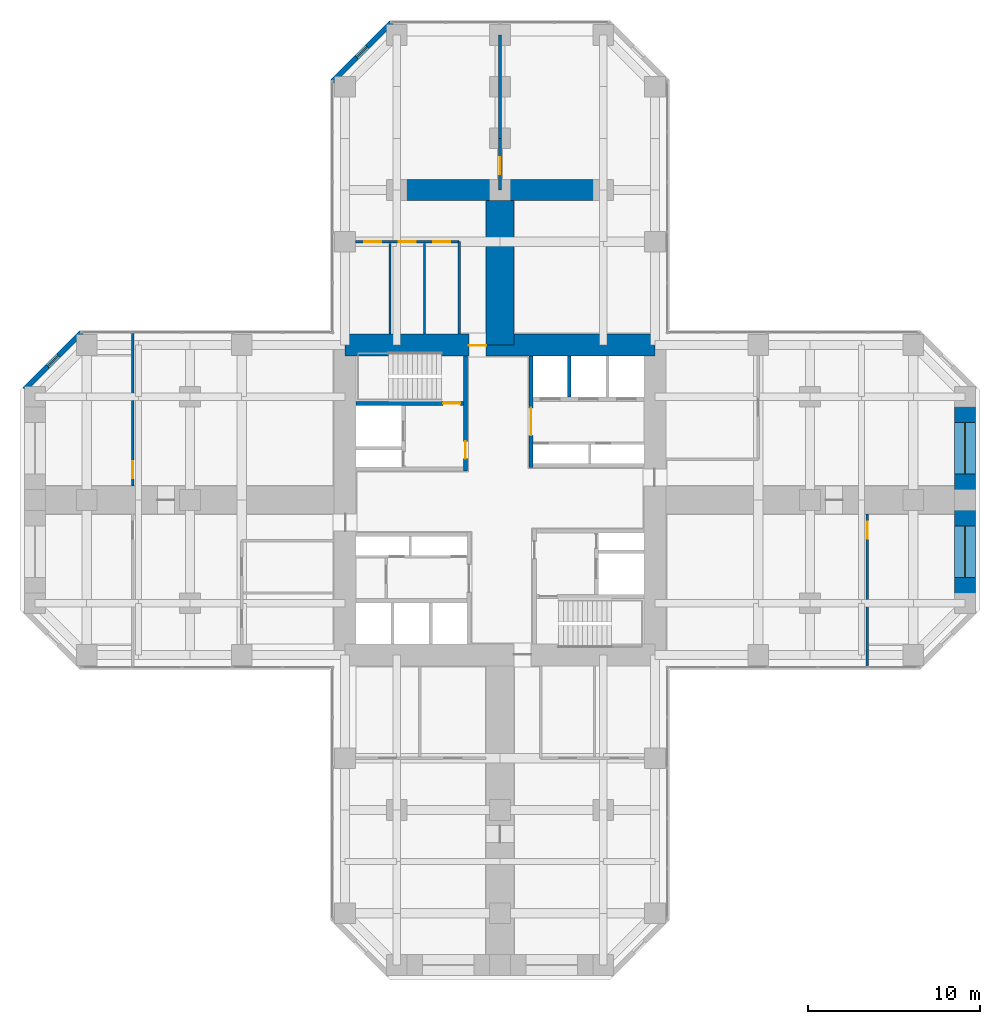
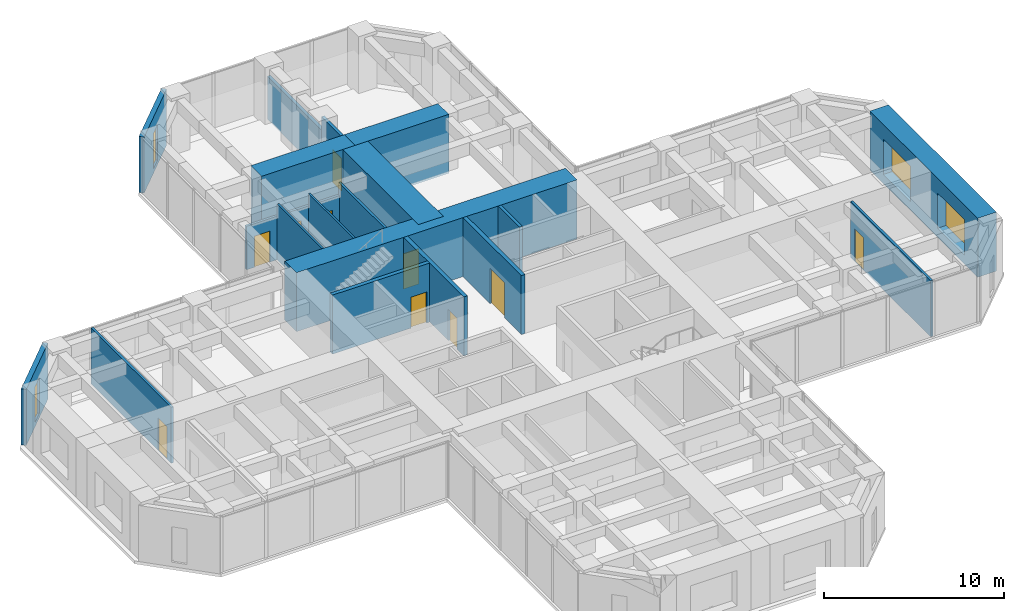
# One storey, part 10 of 12: 19 walls, 10 doors, 4 windows, 14 openings.
"""IFC4 building model written with IfcOpenShell, lengths in metres."""

from ifc_helpers import new_model, si_unit, direction, frame, frame_2d, origin, place, context, subcontext, project, spatial, rectangle, hollow_rectangle, extrude, material, layer, layer_set, constituent, constituent_set, type_object, element, fill, save


model = new_model("IFC4")

# Units and contexts
model_context = context("Model", 3, precision=1e-05, world=origin(), true_north=direction((0.0, 1.0)))
body_context = subcontext(model_context, "Body", "Model", "MODEL_VIEW")
ifc_project = project(units=[si_unit("LENGTHUNIT", "METRE"), si_unit("AREAUNIT", "SQUARE_METRE"), si_unit("VOLUMEUNIT", "CUBIC_METRE"), si_unit("PLANEANGLEUNIT", "RADIAN"), si_unit("MASSUNIT", "GRAM", prefix="KILO")], contexts=[model_context])

# Site, building, storey
site_placement = place(None, origin())
site = spatial("IfcSite", under=ifc_project, at=site_placement, CompositionType="ELEMENT")
building_placement = place(site_placement, origin())
building = spatial("IfcBuilding", under=site, at=building_placement, Name="Torre Cruceta", CompositionType="ELEMENT")
storey_placement = place(building_placement, frame((0.0, 0.0, 39.5)))
storey = spatial("IfcBuildingStorey", under=building, at=storey_placement, Name="L09", CompositionType="ELEMENT", Elevation=39.5)

# Wall, opening, door
ifc_material_1 = material(Name="Concrete G60 (fck 60 MPa)", Category="concrete")
ifc_layer_1 = layer(ifc_material_1, 0.25)
ifc_layer_set_1 = layer_set([ifc_layer_1], Name="Concrete G60 (fck 60 MPa)")
wall_type_1 = type_object("IfcWallType", Name="CORE INNER WALL 250 G60", PredefinedType="SHEAR", material=ifc_layer_set_1)
wall_1_placement = place(storey_placement, frame((1.800048828125, 1.875, 0.0), z_axis=(0.0, 0.0, 1.0), x_axis=(0.0, 1.0, 0.0)))
wall_1 = element("IfcWall", 1, at=wall_1_placement, inside=storey, type_object=wall_type_1, Name="CW4 L09 NE-CU", PredefinedType="SHEAR", context=body_context, shape_type="SweptSolid", body=[
    extrude(rectangle(XDim=6.47509765625, YDim=0.25, at=frame_2d((3.237548828125, 0.0))), origin(), (0.0, 0.0, 1.0), 4.0),
])
opening_1_placement = place(wall_1_placement, frame((1.875, 0.0, 0.0)))
opening_1 = element("IfcOpeningElement", 2, at=opening_1_placement, cuts=wall_1, Name="Opening D8", PredefinedType="OPENING", context=body_context, shape_type="SweptSolid", body=[
    extrude(rectangle(XDim=1.60009765625, YDim=2.39990234375, at=frame_2d((0.800048828125, 1.199951171875))), frame((0.0, 0.135009765625, 0.0), z_axis=(0.0, -1.0, 0.0), x_axis=(1.0, 0.0, 0.0)), (0.0, 0.0, 1.0), 0.27001953125),
])
ifc_material_2 = material(Name="Steel DX51D", Category="steel")
ifc_constituent_1 = constituent(ifc_material_2, Name="Leaf and frame")
ifc_material_3 = material(Name="Polyester powder coating", Category="paint")
ifc_constituent_2 = constituent(ifc_material_3, Name="Finish")
ifc_material_4 = material(Name="Fire-resisting glass", Category="glass")
ifc_constituent_3 = constituent(ifc_material_4, Name="Vision panel")
ifc_constituent_set_1 = constituent_set(constituents=[ifc_constituent_1, ifc_constituent_2, ifc_constituent_3], Name="Steel fire door with vision panels")
door_type_1 = type_object("IfcDoorType", Name="LIFT LOBBY DOUBLE DOOR 1600X2400", OperationType="DOUBLE_DOOR_DOUBLE_SWING", PredefinedType="DOOR", material=ifc_constituent_set_1)
door_1_placement = place(opening_1_placement, origin())
door_1 = element("IfcDoor", 3, at=door_1_placement, inside=storey, type_object=door_type_1, Name="D8 L09 NE-LOBBY", OperationType="DOUBLE_DOOR_DOUBLE_SWING", OverallHeight=2.39990234375, OverallWidth=1.60009765625, PredefinedType="DOOR", context=body_context, shape_type="SweptSolid", body=[
    extrude(rectangle(XDim=1.60009765625, YDim=2.39990234375, at=frame_2d((0.800048828125, 1.199951171875))), frame((0.0, 0.02490234375, 0.0), z_axis=(0.0, -1.0, 0.0), x_axis=(1.0, 0.0, 0.0)), (0.0, 0.0, 1.0), 0.050048828125),
])
fill(opening_1, door_1)

wall_2_placement = place(storey_placement, frame((-2.0, 1.675048828125, 0.0), z_axis=(0.0, 0.0, 1.0), x_axis=(0.0, 1.0, 0.0)))
wall_2 = element("IfcWall", 4, at=wall_2_placement, inside=storey, type_object=wall_type_1, Name="CW4 L09 NW-CU", PredefinedType="SHEAR", context=body_context, shape_type="SweptSolid", body=[
    extrude(rectangle(XDim=6.675048828125, YDim=0.25, at=frame_2d((3.33740234375, 0.0))), origin(), (0.0, 0.0, 1.0), 4.0),
])
opening_2_placement = place(wall_2_placement, frame((0.72509765625, 0.0, 0.0)))
opening_2 = element("IfcOpeningElement", 5, at=opening_2_placement, cuts=wall_2, Name="Opening D3", PredefinedType="OPENING", context=body_context, shape_type="SweptSolid", body=[
    extrude(rectangle(XDim=1.0, YDim=2.10009765625, at=frame_2d((0.5, 1.050048828125))), frame((0.0, 0.135009765625, 0.0), z_axis=(0.0, -1.0, 0.0), x_axis=(1.0, 0.0, 0.0)), (0.0, 0.0, 1.0), 0.27001953125),
])
ifc_material_5 = material(Name="Steel DX51D", Category="steel")
ifc_constituent_4 = constituent(ifc_material_5, Name="Leaf and frame")
ifc_material_6 = material(Name="Polyester powder coating", Category="paint")
ifc_constituent_5 = constituent(ifc_material_6, Name="Finish")
ifc_constituent_set_2 = constituent_set(constituents=[ifc_constituent_4, ifc_constituent_5], Name="Steel fire door")
door_type_2 = type_object("IfcDoorType", Name="FIRE DOOR 1000X2100", OperationType="SINGLE_SWING_LEFT", PredefinedType="DOOR", material=ifc_constituent_set_2)
door_2_placement = place(opening_2_placement, origin())
door_2 = element("IfcDoor", 6, at=door_2_placement, inside=storey, type_object=door_type_2, Name="D3 L09 NW-LOBBY", OperationType="SINGLE_SWING_LEFT", OverallHeight=2.10009765625, OverallWidth=1.0, PredefinedType="DOOR", context=body_context, shape_type="SweptSolid", body=[
    extrude(rectangle(XDim=1.0, YDim=2.10009765625, at=frame_2d((0.5, 1.050048828125))), frame((0.0, 0.02490234375, 0.0), z_axis=(0.0, -1.0, 0.0), x_axis=(1.0, 0.0, 0.0)), (0.0, 0.0, 1.0), 0.050048828125),
])
fill(opening_2, door_2)

wall_3_placement = place(storey_placement, frame((-2.125, 5.60009765625, 0.0), z_axis=(0.0, 0.0, 1.0), x_axis=(-1.0, 0.0, 0.0)))
wall_3 = element("IfcWall", 7, at=wall_3_placement, inside=storey, type_object=wall_type_1, Name="CW4 L09 NW-SV", PredefinedType="SHEAR", context=body_context, shape_type="SweptSolid", body=[
    extrude(rectangle(XDim=6.22509765625, YDim=0.25, at=frame_2d((3.112548828125, 0.0))), origin(), (0.0, 0.0, 1.0), 4.0),
])
opening_3_placement = place(wall_3_placement, frame((0.175048828125, 0.0, 0.0)))
opening_3 = element("IfcOpeningElement", 8, at=opening_3_placement, cuts=wall_3, Name="Opening D3", PredefinedType="OPENING", context=body_context, shape_type="SweptSolid", body=[
    extrude(rectangle(XDim=1.0, YDim=2.10009765625, at=frame_2d((0.5, 1.050048828125))), frame((0.0, 0.135009765625, 0.0), z_axis=(0.0, -1.0, 0.0), x_axis=(1.0, 0.0, 0.0)), (0.0, 0.0, 1.0), 0.27001953125),
])
door_3_placement = place(opening_3_placement, frame((1.0, 0.0, 0.0), z_axis=(0.0, 0.0, 1.0), x_axis=(-1.0, 0.0, 0.0)))
door_3 = element("IfcDoor", 9, at=door_3_placement, inside=storey, type_object=door_type_2, Name="D3 L09 NW-STAIR", OperationType="SINGLE_SWING_RIGHT", OverallHeight=2.10009765625, OverallWidth=1.0, PredefinedType="DOOR", context=body_context, shape_type="SweptSolid", body=[
    extrude(rectangle(XDim=1.0, YDim=2.10009765625, at=frame_2d((0.5, 1.050048828125))), frame((0.0, 0.025146484375, 0.0), z_axis=(0.0, -1.0, 0.0), x_axis=(1.0, 0.0, 0.0)), (0.0, 0.0, 1.0), 0.050048828125),
])
fill(opening_3, door_3)

ifc_material_7 = material(Name="Concrete G60 (fck 60 MPa)", Category="concrete")
ifc_layer_2 = layer(ifc_material_7, 1.300048828125)
ifc_layer_set_2 = layer_set([ifc_layer_2], Name="Concrete G60 (fck 60 MPa)")
wall_type_2 = type_object("IfcWallType", Name="CORE WALL 1300 G60", PredefinedType="SHEAR", material=ifc_layer_set_2)
wall_4_placement = place(storey_placement, frame((9.0, 9.0, 0.0), z_axis=(0.0, 0.0, 1.0), x_axis=(-1.0, 0.0, 0.0)))
wall_4 = element("IfcWall", 10, at=wall_4_placement, inside=storey, type_object=wall_type_2, Name="CW1 L09 CW-N", PredefinedType="SHEAR", context=body_context, shape_type="SweptSolid", body=[
    extrude(rectangle(XDim=18.0, YDim=1.300048828125, at=frame_2d((9.0, 0.0))), origin(), (0.0, 0.0, 1.0), 4.0),
])
opening_4_placement = place(wall_4_placement, frame((9.800048828125, 0.0, 0.0)))
opening_4 = element("IfcOpeningElement", 11, at=opening_4_placement, cuts=wall_4, Name="Opening D4", PredefinedType="OPENING", context=body_context, shape_type="SweptSolid", body=[
    extrude(rectangle(XDim=1.0, YDim=2.39990234375, at=frame_2d((0.5, 1.199951171875))), frame((0.0, 0.659912109375, 0.0), z_axis=(0.0, -1.0, 0.0), x_axis=(1.0, 0.0, 0.0)), (0.0, 0.0, 1.0), 1.320068359375),
])
ifc_material_8 = material(Name="Steel DX51D", Category="steel")
ifc_constituent_6 = constituent(ifc_material_8, Name="Leaf and frame")
ifc_material_9 = material(Name="Polyester powder coating", Category="paint")
ifc_constituent_7 = constituent(ifc_material_9, Name="Finish")
ifc_constituent_set_3 = constituent_set(constituents=[ifc_constituent_6, ifc_constituent_7], Name="Steel fire door")
door_type_3 = type_object("IfcDoorType", Name="CORE ARM DOOR 1000X2400", OperationType="SINGLE_SWING_RIGHT", PredefinedType="DOOR", material=ifc_constituent_set_3)
door_4_placement = place(opening_4_placement, frame((1.0, 0.0, 0.0), z_axis=(0.0, 0.0, 1.0), x_axis=(-1.0, 0.0, 0.0)))
door_4 = element("IfcDoor", 12, at=door_4_placement, inside=storey, type_object=door_type_3, Name="D4 L09 CW-N", OperationType="SINGLE_SWING_RIGHT", OverallHeight=2.39990234375, OverallWidth=1.0, PredefinedType="DOOR", context=body_context, shape_type="SweptSolid", body=[
    extrude(rectangle(XDim=1.0, YDim=2.39990234375, at=frame_2d((0.5, 1.199951171875))), frame((0.0, -0.005126953125, 0.0), z_axis=(0.0, -1.0, 0.0), x_axis=(1.0, 0.0, 0.0)), (0.0, 0.0, 1.0), 0.050048828125),
])
fill(opening_4, door_4)

ifc_material_10 = material(Name="Concrete G25 (fck 25 MPa)", Category="concrete")
ifc_layer_3 = layer(ifc_material_10, 0.199951171875)
ifc_layer_set_3 = layer_set([ifc_layer_3], Name="Concrete G25 (fck 25 MPa)")
wall_type_3 = type_object("IfcWallType", Name="CORRIDOR WALL 200", PredefinedType="SOLIDWALL", material=ifc_layer_set_3)
wall_5_placement = place(storey_placement, frame((0.0, 18.0, 0.0), z_axis=(0.0, 0.0, 1.0), x_axis=(0.0, 1.0, 0.0)))
wall_5 = element("IfcWall", 13, at=wall_5_placement, inside=storey, type_object=wall_type_3, Name="PT3 spine line L09 N", PredefinedType="SOLIDWALL", context=body_context, shape_type="SweptSolid", body=[
    extrude(rectangle(XDim=3.0, YDim=0.199951171875, at=frame_2d((1.5, 0.0))), origin(), (0.0, 0.0, 1.0), 3.800048828125),
])
opening_5_placement = place(wall_5_placement, frame((0.89990234375, 0.0, 0.0)))
opening_5 = element("IfcOpeningElement", 14, at=opening_5_placement, cuts=wall_5, Name="Opening D14", PredefinedType="OPENING", context=body_context, shape_type="SweptSolid", body=[
    extrude(rectangle(XDim=1.0, YDim=2.199951171875, at=frame_2d((0.5, 1.10009765625))), frame((0.0, 0.10986328125, 0.0), z_axis=(0.0, -1.0, 0.0), x_axis=(1.0, 0.0, 0.0)), (0.0, 0.0, 1.0), 0.219970703125),
])
ifc_material_11 = material(Name="Steel DX51D", Category="steel")
ifc_constituent_8 = constituent(ifc_material_11, Name="Leaf and frame")
ifc_material_12 = material(Name="Polyester powder coating", Category="paint")
ifc_constituent_9 = constituent(ifc_material_12, Name="Finish")
ifc_material_13 = material(Name="Fire-resisting glass", Category="glass")
ifc_constituent_10 = constituent(ifc_material_13, Name="Vision panel")
ifc_constituent_set_4 = constituent_set(constituents=[ifc_constituent_8, ifc_constituent_9, ifc_constituent_10], Name="Steel fire door with vision panel")
door_type_4 = type_object("IfcDoorType", Name="FIRE DOOR VISION PANEL 1000X2200", OperationType="SINGLE_SWING_RIGHT", PredefinedType="DOOR", material=ifc_constituent_set_4)
door_5_placement = place(opening_5_placement, origin())
door_5 = element("IfcDoor", 15, at=door_5_placement, inside=storey, type_object=door_type_4, Name="D14 L09-N-SP1", OperationType="SINGLE_SWING_LEFT", OverallHeight=2.199951171875, OverallWidth=1.0, PredefinedType="DOOR", context=body_context, shape_type="SweptSolid", body=[
    extrude(rectangle(XDim=1.0, YDim=2.199951171875, at=frame_2d((0.5, 1.10009765625))), frame((0.0, 0.02490234375, 0.0), z_axis=(0.0, -1.0, 0.0), x_axis=(1.0, 0.0, 0.0)), (0.0, 0.0, 1.0), 0.050048828125),
])
fill(opening_5, door_5)

# Walls
wall_6_placement = place(storey_placement, frame((0.0, 21.0, 0.0), z_axis=(0.0, 0.0, 1.0), x_axis=(0.0, 1.0, 0.0)))
element("IfcWall", 16, at=wall_6_placement, inside=storey, type_object=wall_type_3, Name="PT3 spine line L09 N 2", PredefinedType="SOLIDWALL", context=body_context, shape_type="SweptSolid", body=[
    extrude(rectangle(XDim=6.0, YDim=0.199951171875, at=frame_2d((3.0, 0.0))), origin(), (0.0, 0.0, 1.0), 2.89990234375),
])
ifc_material_14 = material(Name="Concrete G60 (fck 60 MPa)", Category="concrete")
ifc_layer_4 = layer(ifc_material_14, 1.199951171875)
ifc_layer_set_4 = layer_set([ifc_layer_4], Name="Concrete G60 (fck 60 MPa)")
wall_type_4 = type_object("IfcWallType", Name="CROSS WALL 1200 G60", PredefinedType="SHEAR", material=ifc_layer_set_4)
for number, where, z_axis, x_axis, name in (
    (17, (0.0, 18.0, 0.0), (0.0, 0.0, 1.0), (-1.0, 0.0, 0.0), "XW1 cross wall L09 N L"),
    (18, (0.0, 18.0, 0.0), (0.0, 0.0, 1.0), (1.0, 0.0, 0.0), "XW1 cross wall L09 N R"),
):
    element("IfcWall", number, at=place(storey_placement, frame(where, z_axis=z_axis, x_axis=x_axis)), inside=storey, type_object=wall_type_4, Name=name, PredefinedType="SHEAR", context=body_context, shape_type="SweptSolid", body=[
        extrude(rectangle(XDim=6.0, YDim=1.199951171875, at=frame_2d((3.0, 0.0))), origin(), (0.0, 0.0, 1.0), 4.0),
    ])

# Wall, opening, window
ifc_material_15 = material(Name="Concrete G30 (fck 30 MPa)", Category="concrete")
ifc_layer_5 = layer(ifc_material_15, 0.300048828125)
ifc_layer_set_5 = layer_set([ifc_layer_5], Name="Concrete G30 (fck 30 MPa)")
wall_type_5 = type_object("IfcWallType", Name="EXPOSED CONCRETE FACADE WALL 300", PredefinedType="SOLIDWALL", material=ifc_layer_set_5)
wall_7_placement = place(storey_placement, frame((-6.29833984375, 27.719970703125, 0.0), z_axis=(0.0, 0.0, 1.0), x_axis=(-0.707106781187, -0.707106781187, 0.0)))
wall_7 = element("IfcWall", 19, at=wall_7_placement, inside=storey, type_object=wall_type_5, Name="EW1 facade wall L09 N chamfer 08", PredefinedType="SOLIDWALL", context=body_context, shape_type="SweptSolid", body=[
    extrude(rectangle(XDim=4.8388671875, YDim=0.300048828125, at=frame_2d((2.41943359375, 0.0))), origin(), (0.0, 0.0, 1.0), 3.800048828125),
])
opening_6_placement = place(wall_7_placement, frame((1.969482421875, 0.0, 0.300048828125)))
opening_6 = element("IfcOpeningElement", 20, at=opening_6_placement, cuts=wall_7, Name="Opening WN5", PredefinedType="OPENING", context=body_context, shape_type="SweptSolid", body=[
    extrude(rectangle(XDim=0.89990234375, YDim=2.39990234375, at=frame_2d((0.449951171875, 1.199951171875))), frame((0.0, 0.159912109375, 0.0), z_axis=(0.0, -1.0, 0.0), x_axis=(1.0, 0.0, 0.0)), (0.0, 0.0, 1.0), 0.320068359375),
])
ifc_material_16 = material(Name="Aluminium window frame", Category="aluminium")
ifc_constituent_11 = constituent(ifc_material_16, Name="Frame")
ifc_material_17 = material(Name="Laminated insulating glass unit, low-iron clear", Category="glass")
ifc_constituent_12 = constituent(ifc_material_17, Name="Glazing")
ifc_constituent_set_5 = constituent_set(constituents=[ifc_constituent_11, ifc_constituent_12], Name="Aluminium window")
window_type_1 = type_object("IfcWindowType", Name="CHAMFER SLOT WINDOW 900X2400", PartitioningType="SINGLE_PANEL", PredefinedType="WINDOW", material=ifc_constituent_set_5)
window_1_placement = place(opening_6_placement, origin())
window_1 = element("IfcWindow", 21, at=window_1_placement, inside=storey, type_object=window_type_1, Name="WN5 L09 N 1", OverallHeight=2.39990234375, OverallWidth=0.89990234375, PartitioningType="SINGLE_PANEL", PredefinedType="WINDOW", context=body_context, shape_type="SweptSolid", body=[
    extrude(hollow_rectangle(XDim=0.89990234375, YDim=2.39990234375, WallThickness=0.06005859375, at=frame_2d((0.449951171875, 1.199951171875))), frame((0.0, 0.030029296875, 0.0), z_axis=(0.0, -1.0, 0.0), x_axis=(1.0, 0.0, 0.0)), (0.0, 0.0, 1.0), 0.06005859375),
    extrude(rectangle(XDim=0.77880859375, YDim=2.27880859375, at=frame_2d((0.449951171875, 1.199951171875))), frame((0.0, 0.030029296875, 0.0), z_axis=(0.0, -1.0, 0.0), x_axis=(1.0, 0.0, 0.0)), (0.0, 0.0, 1.0), 0.06005859375),
])
fill(opening_6, window_1)

wall_8_placement = place(storey_placement, frame((-24.29833984375, 9.719970703125, 0.0), z_axis=(0.0, 0.0, 1.0), x_axis=(-0.707106781187, -0.707106781187, 0.0)))
wall_8 = element("IfcWall", 22, at=wall_8_placement, inside=storey, type_object=wall_type_5, Name="EW1 facade wall L09 W chamfer 11", PredefinedType="SOLIDWALL", context=body_context, shape_type="SweptSolid", body=[
    extrude(rectangle(XDim=4.66943359375, YDim=0.300048828125, at=frame_2d((2.334716796875, 0.0))), origin(), (0.0, 0.0, 1.0), 3.800048828125),
])
opening_7_placement = place(wall_8_placement, frame((1.884765625, 0.0, 0.300048828125)))
opening_7 = element("IfcOpeningElement", 23, at=opening_7_placement, cuts=wall_8, Name="Opening WN5", PredefinedType="OPENING", context=body_context, shape_type="SweptSolid", body=[
    extrude(rectangle(XDim=0.89990234375, YDim=2.39990234375, at=frame_2d((0.449951171875, 1.199951171875))), frame((0.0, 0.159912109375, 0.0), z_axis=(0.0, -1.0, 0.0), x_axis=(1.0, 0.0, 0.0)), (0.0, 0.0, 1.0), 0.320068359375),
])
window_2_placement = place(opening_7_placement, origin())
window_2 = element("IfcWindow", 24, at=window_2_placement, inside=storey, type_object=window_type_1, Name="WN5 L09 W 1", OverallHeight=2.39990234375, OverallWidth=0.89990234375, PartitioningType="SINGLE_PANEL", PredefinedType="WINDOW", context=body_context, shape_type="SweptSolid", body=[
    extrude(hollow_rectangle(XDim=0.89990234375, YDim=2.39990234375, WallThickness=0.06005859375, at=frame_2d((0.449951171875, 1.199951171875))), frame((0.0, 0.030029296875, 0.0), z_axis=(0.0, -1.0, 0.0), x_axis=(1.0, 0.0, 0.0)), (0.0, 0.0, 1.0), 0.06005859375),
    extrude(rectangle(XDim=0.77880859375, YDim=2.27880859375, at=frame_2d((0.449951171875, 1.199951171875))), frame((0.0, 0.030029296875, 0.0), z_axis=(0.0, -1.0, 0.0), x_axis=(1.0, 0.0, 0.0)), (0.0, 0.0, 1.0), 0.06005859375),
])
fill(opening_7, window_2)

# Wall
ifc_material_18 = material(Name="Concrete G35 (fck 35 MPa)", Category="concrete")
ifc_layer_6 = layer(ifc_material_18, 0.199951171875)
ifc_layer_set_6 = layer_set([ifc_layer_6], Name="Concrete G35 (fck 35 MPa)")
wall_type_6 = type_object("IfcWallType", Name="LIFT SHAFT WALL 200", PredefinedType="PARTITIONING", material=ifc_layer_set_6)
wall_9_placement = place(storey_placement, frame((4.033447265625, 5.97509765625, 0.0), z_axis=(0.0, 0.0, 1.0), x_axis=(0.0, 1.0, 0.0)))
element("IfcWall", 25, at=wall_9_placement, inside=storey, type_object=wall_type_6, Name="SW1 L09 NE-LS1", PredefinedType="PARTITIONING", context=body_context, shape_type="SweptSolid", body=[
    extrude(rectangle(XDim=2.375, YDim=0.199951171875, at=frame_2d((1.1875, 0.0))), origin(), (0.0, 0.0, 1.0), 4.0),
])

# Wall, openings, windows
ifc_material_19 = material(Name="Concrete G60 (fck 60 MPa)", Category="concrete")
ifc_layer_7 = layer(ifc_material_19, 1.199951171875)
ifc_layer_set_7 = layer_set([ifc_layer_7], Name="Concrete G60 (fck 60 MPa)")
wall_type_7 = type_object("IfcWallType", Name="NOSE WALL 1200 G60", PredefinedType="SHEAR", material=ifc_layer_set_7)
wall_10_placement = place(storey_placement, frame((27.0, -6.0, 0.0), z_axis=(0.0, 0.0, 1.0), x_axis=(0.0, 1.0, 0.0)))
wall_10 = element("IfcWall", 26, at=wall_10_placement, inside=storey, type_object=wall_type_7, Name="NW1 nose wall L09 E", PredefinedType="SHEAR", context=body_context, shape_type="SweptSolid", body=[
    extrude(rectangle(XDim=12.0, YDim=1.199951171875, at=frame_2d((6.0, 0.0))), origin(), (0.0, 0.0, 1.0), 4.0),
])
opening_8_placement = place(wall_10_placement, frame((1.5, 0.0, 0.60009765625)))
opening_8 = element("IfcOpeningElement", 27, at=opening_8_placement, cuts=wall_10, Name="Opening WN6", PredefinedType="OPENING", context=body_context, shape_type="SweptSolid", body=[
    extrude(rectangle(XDim=3.0, YDim=2.39990234375, at=frame_2d((1.5, 1.199951171875))), frame((0.0, 0.60986328125, 0.0), z_axis=(0.0, -1.0, 0.0), x_axis=(1.0, 0.0, 0.0)), (0.0, 0.0, 1.0), 1.219970703125),
])
opening_9_placement = place(wall_10_placement, frame((7.5, 0.0, 0.60009765625)))
opening_9 = element("IfcOpeningElement", 28, at=opening_9_placement, cuts=wall_10, Name="Opening WN6", PredefinedType="OPENING", context=body_context, shape_type="SweptSolid", body=[
    extrude(rectangle(XDim=3.0, YDim=2.39990234375, at=frame_2d((1.5, 1.199951171875))), frame((0.0, 0.60986328125, 0.0), z_axis=(0.0, -1.0, 0.0), x_axis=(1.0, 0.0, 0.0)), (0.0, 0.0, 1.0), 1.219970703125),
])
ifc_material_20 = material(Name="Aluminium window frame", Category="aluminium")
ifc_constituent_13 = constituent(ifc_material_20, Name="Frame")
ifc_material_21 = material(Name="Laminated insulating glass unit, low-iron clear", Category="glass")
ifc_constituent_14 = constituent(ifc_material_21, Name="Glazing")
ifc_constituent_set_6 = constituent_set(constituents=[ifc_constituent_13, ifc_constituent_14], Name="Aluminium window")
window_type_2 = type_object("IfcWindowType", Name="NOSE WALL WINDOW 3000X2400", PartitioningType="SINGLE_PANEL", PredefinedType="WINDOW", material=ifc_constituent_set_6)
window_3_placement = place(opening_8_placement, origin())
window_3 = element("IfcWindow", 29, at=window_3_placement, inside=storey, type_object=window_type_2, Name="WN6 L09 E 1", OverallHeight=2.39990234375, OverallWidth=3.0, PartitioningType="SINGLE_PANEL", PredefinedType="WINDOW", context=body_context, shape_type="SweptSolid", body=[
    extrude(hollow_rectangle(XDim=3.0, YDim=2.39990234375, WallThickness=0.06005859375, at=frame_2d((1.5, 1.199951171875))), frame((0.0, 0.030029296875, 0.0), z_axis=(0.0, -1.0, 0.0), x_axis=(1.0, 0.0, 0.0)), (0.0, 0.0, 1.0), 0.06005859375),
    extrude(rectangle(XDim=2.87890625, YDim=2.27880859375, at=frame_2d((1.5, 1.199951171875))), frame((0.0, 0.030029296875, 0.0), z_axis=(0.0, -1.0, 0.0), x_axis=(1.0, 0.0, 0.0)), (0.0, 0.0, 1.0), 0.06005859375),
])
fill(opening_8, window_3)
window_4_placement = place(opening_9_placement, origin())
window_4 = element("IfcWindow", 30, at=window_4_placement, inside=storey, type_object=window_type_2, Name="WN6 L09 E 2", OverallHeight=2.39990234375, OverallWidth=3.0, PartitioningType="SINGLE_PANEL", PredefinedType="WINDOW", context=body_context, shape_type="SweptSolid", body=[
    extrude(hollow_rectangle(XDim=3.0, YDim=2.39990234375, WallThickness=0.06005859375, at=frame_2d((1.5, 1.199951171875))), frame((0.0, 0.030029296875, 0.0), z_axis=(0.0, -1.0, 0.0), x_axis=(1.0, 0.0, 0.0)), (0.0, 0.0, 1.0), 0.06005859375),
    extrude(rectangle(XDim=2.87890625, YDim=2.27880859375, at=frame_2d((1.5, 1.199951171875))), frame((0.0, 0.030029296875, 0.0), z_axis=(0.0, -1.0, 0.0), x_axis=(1.0, 0.0, 0.0)), (0.0, 0.0, 1.0), 0.06005859375),
])
fill(opening_9, window_4)

# Wall, openings, doors
ifc_material_22 = material(Name="Plasterboard on steel studs", Category="steel")
ifc_layer_8 = layer(ifc_material_22, 0.14990234375)
ifc_layer_set_8 = layer_set([ifc_layer_8], Name="Plasterboard on steel studs")
wall_type_8 = type_object("IfcWallType", Name="PARTITION 150", PredefinedType="PARTITIONING", material=ifc_layer_set_8)
wall_11_placement = place(storey_placement, frame((-2.375, 15.0, 0.0), z_axis=(0.0, 0.0, 1.0), x_axis=(-1.0, 0.0, 0.0)))
wall_11 = element("IfcWall", 31, at=wall_11_placement, inside=storey, type_object=wall_type_8, Name="PT1 L09-N-BFL", PredefinedType="PARTITIONING", context=body_context, shape_type="SweptSolid", body=[
    extrude(rectangle(XDim=6.02490234375, YDim=0.14990234375, at=frame_2d((3.012451171875, 0.0))), origin(), (0.0, 0.0, 1.0), 2.949951171875),
])
opening_10_placement = place(wall_11_placement, frame((0.504150390625, 0.0, 0.0)))
opening_10 = element("IfcOpeningElement", 32, at=opening_10_placement, cuts=wall_11, Name="Opening D3", PredefinedType="OPENING", context=body_context, shape_type="SweptSolid", body=[
    extrude(rectangle(XDim=1.0, YDim=2.10009765625, at=frame_2d((0.5, 1.050048828125))), frame((0.0, 0.0849609375, 0.0), z_axis=(0.0, -1.0, 0.0), x_axis=(1.0, 0.0, 0.0)), (0.0, 0.0, 1.0), 0.169921875),
])
opening_11_placement = place(wall_11_placement, frame((2.512451171875, 0.0, 0.0)))
opening_11 = element("IfcOpeningElement", 33, at=opening_11_placement, cuts=wall_11, Name="Opening D3", PredefinedType="OPENING", context=body_context, shape_type="SweptSolid", body=[
    extrude(rectangle(XDim=1.0, YDim=2.10009765625, at=frame_2d((0.5, 1.050048828125))), frame((0.0, 0.0849609375, 0.0), z_axis=(0.0, -1.0, 0.0), x_axis=(1.0, 0.0, 0.0)), (0.0, 0.0, 1.0), 0.169921875),
])
opening_12_placement = place(wall_11_placement, frame((4.520751953125, 0.0, 0.0)))
opening_12 = element("IfcOpeningElement", 34, at=opening_12_placement, cuts=wall_11, Name="Opening D3", PredefinedType="OPENING", context=body_context, shape_type="SweptSolid", body=[
    extrude(rectangle(XDim=1.0, YDim=2.10009765625, at=frame_2d((0.5, 1.050048828125))), frame((0.0, 0.0849609375, 0.0), z_axis=(0.0, -1.0, 0.0), x_axis=(1.0, 0.0, 0.0)), (0.0, 0.0, 1.0), 0.169921875),
])
door_6_placement = place(opening_10_placement, origin())
door_6 = element("IfcDoor", 35, at=door_6_placement, inside=storey, type_object=door_type_2, Name="D3 L09-N-BFL-D1", OperationType="SINGLE_SWING_LEFT", OverallHeight=2.10009765625, OverallWidth=1.0, PredefinedType="DOOR", context=body_context, shape_type="SweptSolid", body=[
    extrude(rectangle(XDim=1.0, YDim=2.10009765625, at=frame_2d((0.5, 1.050048828125))), frame((0.0, 0.02490234375, 0.0), z_axis=(0.0, -1.0, 0.0), x_axis=(1.0, 0.0, 0.0)), (0.0, 0.0, 1.0), 0.050048828125),
])
fill(opening_10, door_6)
door_7_placement = place(opening_11_placement, origin())
door_7 = element("IfcDoor", 36, at=door_7_placement, inside=storey, type_object=door_type_2, Name="D3 L09-N-BFL-D2", OperationType="SINGLE_SWING_LEFT", OverallHeight=2.10009765625, OverallWidth=1.0, PredefinedType="DOOR", context=body_context, shape_type="SweptSolid", body=[
    extrude(rectangle(XDim=1.0, YDim=2.10009765625, at=frame_2d((0.5, 1.050048828125))), frame((0.0, 0.02490234375, 0.0), z_axis=(0.0, -1.0, 0.0), x_axis=(1.0, 0.0, 0.0)), (0.0, 0.0, 1.0), 0.050048828125),
])
fill(opening_11, door_7)
door_8_placement = place(opening_12_placement, origin())
door_8 = element("IfcDoor", 37, at=door_8_placement, inside=storey, type_object=door_type_2, Name="D3 L09-N-BFL-D3", OperationType="SINGLE_SWING_LEFT", OverallHeight=2.10009765625, OverallWidth=1.0, PredefinedType="DOOR", context=body_context, shape_type="SweptSolid", body=[
    extrude(rectangle(XDim=1.0, YDim=2.10009765625, at=frame_2d((0.5, 1.050048828125))), frame((0.0, 0.02490234375, 0.0), z_axis=(0.0, -1.0, 0.0), x_axis=(1.0, 0.0, 0.0)), (0.0, 0.0, 1.0), 0.050048828125),
])
fill(opening_12, door_8)

# Wall
wall_12_placement = place(storey_placement, frame((-2.375, 9.64990234375, 0.0), z_axis=(0.0, 0.0, 1.0), x_axis=(0.0, 1.0, 0.0)))
element("IfcWall", 38, at=wall_12_placement, inside=storey, type_object=wall_type_8, Name="PT1 L09-N-BSL", PredefinedType="PARTITIONING", context=body_context, shape_type="SweptSolid", body=[
    extrude(rectangle(XDim=5.35009765625, YDim=0.14990234375, at=frame_2d((2.675048828125, 0.0))), origin(), (0.0, 0.0, 1.0), 3.800048828125),
])

# Wall, opening, door
wall_13_placement = place(storey_placement, frame((21.320068359375, -9.679931640625, 0.0), z_axis=(0.0, 0.0, 1.0), x_axis=(0.0, 1.0, 0.0)))
wall_13 = element("IfcWall", 39, at=wall_13_placement, inside=storey, type_object=wall_type_8, Name="PT1 L09-E-TWR", PredefinedType="PARTITIONING", context=body_context, shape_type="SweptSolid", body=[
    extrude(rectangle(XDim=8.8798828125, YDim=0.14990234375, at=frame_2d((4.43994140625, 0.0))), origin(), (0.0, 0.0, 1.0), 3.800048828125),
])
opening_13_placement = place(wall_13_placement, frame((7.429931640625, 0.0, 0.0)))
opening_13 = element("IfcOpeningElement", 40, at=opening_13_placement, cuts=wall_13, Name="Opening D14", PredefinedType="OPENING", context=body_context, shape_type="SweptSolid", body=[
    extrude(rectangle(XDim=1.0, YDim=2.199951171875, at=frame_2d((0.5, 1.10009765625))), frame((0.0, 0.0849609375, 0.0), z_axis=(0.0, -1.0, 0.0), x_axis=(1.0, 0.0, 0.0)), (0.0, 0.0, 1.0), 0.169921875),
])
door_9_placement = place(opening_13_placement, frame((1.0, 0.0, 0.0), z_axis=(0.0, 0.0, 1.0), x_axis=(-1.0, 0.0, 0.0)))
door_9 = element("IfcDoor", 41, at=door_9_placement, inside=storey, type_object=door_type_4, Name="D14 L09-E-TWR-D1", OperationType="SINGLE_SWING_LEFT", OverallHeight=2.199951171875, OverallWidth=1.0, PredefinedType="DOOR", context=body_context, shape_type="SweptSolid", body=[
    extrude(rectangle(XDim=1.0, YDim=2.199951171875, at=frame_2d((0.5, 1.10009765625))), frame((0.0, 0.025146484375, 0.0), z_axis=(0.0, -1.0, 0.0), x_axis=(1.0, 0.0, 0.0)), (0.0, 0.0, 1.0), 0.050048828125),
])
fill(opening_13, door_9)

wall_14_placement = place(storey_placement, frame((-21.320068359375, 9.679931640625, 0.0), z_axis=(0.0, 0.0, 1.0), x_axis=(0.0, -1.0, 0.0)))
wall_14 = element("IfcWall", 42, at=wall_14_placement, inside=storey, type_object=wall_type_8, Name="PT1 L09-W-TWR", PredefinedType="PARTITIONING", context=body_context, shape_type="SweptSolid", body=[
    extrude(rectangle(XDim=8.8798828125, YDim=0.14990234375, at=frame_2d((4.43994140625, 0.0))), origin(), (0.0, 0.0, 1.0), 3.800048828125),
])
opening_14_placement = place(wall_14_placement, frame((7.429931640625, 0.0, 0.0)))
opening_14 = element("IfcOpeningElement", 43, at=opening_14_placement, cuts=wall_14, Name="Opening D14", PredefinedType="OPENING", context=body_context, shape_type="SweptSolid", body=[
    extrude(rectangle(XDim=1.0, YDim=2.199951171875, at=frame_2d((0.5, 1.10009765625))), frame((0.0, 0.0849609375, 0.0), z_axis=(0.0, -1.0, 0.0), x_axis=(1.0, 0.0, 0.0)), (0.0, 0.0, 1.0), 0.169921875),
])
door_10_placement = place(opening_14_placement, frame((1.0, 0.0, 0.0), z_axis=(0.0, 0.0, 1.0), x_axis=(-1.0, 0.0, 0.0)))
door_10 = element("IfcDoor", 44, at=door_10_placement, inside=storey, type_object=door_type_4, Name="D14 L09-W-TWR-D1", OperationType="SINGLE_SWING_LEFT", OverallHeight=2.199951171875, OverallWidth=1.0, PredefinedType="DOOR", context=body_context, shape_type="SweptSolid", body=[
    extrude(rectangle(XDim=1.0, YDim=2.199951171875, at=frame_2d((0.5, 1.10009765625))), frame((0.0, 0.025146484375, 0.0), z_axis=(0.0, -1.0, 0.0), x_axis=(1.0, 0.0, 0.0)), (0.0, 0.0, 1.0), 0.050048828125),
])
fill(opening_14, door_10)

# Walls
ifc_material_23 = material(Name="Concrete G60 (fck 60 MPa)", Category="concrete")
ifc_layer_9 = layer(ifc_material_23, 1.60009765625)
ifc_layer_set_9 = layer_set([ifc_layer_9], Name="Concrete G60 (fck 60 MPa)")
wall_type_9 = type_object("IfcWallType", Name="SPINE WALL 1600 G60", PredefinedType="SHEAR", material=ifc_layer_set_9)
wall_15_placement = place(storey_placement, frame((0.0, 9.0, 0.0), z_axis=(0.0, 0.0, 1.0), x_axis=(0.0, 1.0, 0.0)))
element("IfcWall", 45, at=wall_15_placement, inside=storey, type_object=wall_type_9, Name="SW2 spine wall L09 N", PredefinedType="SHEAR", context=body_context, shape_type="SweptSolid", body=[
    extrude(rectangle(XDim=9.0, YDim=1.60009765625, at=frame_2d((4.5, 0.0))), origin(), (0.0, 0.0, 1.0), 4.0),
])
ifc_material_24 = material(Name="Plasterboard on steel studs", Category="steel")
ifc_layer_10 = layer(ifc_material_24, 0.1201171875)
ifc_layer_set_10 = layer_set([ifc_layer_10], Name="Plasterboard on steel studs")
wall_type_10 = type_object("IfcWallType", Name="WC PARTITION 120", PredefinedType="PLUMBINGWALL", material=ifc_layer_set_10)
for number, where, z_axis, x_axis, name in (
    (46, (-4.38330078125, 9.64990234375, 0.0), (0.0, 0.0, 1.0), (0.0, 1.0, 0.0), "PT5 L09-N-BDL1"),
    (47, (-6.3916015625, 9.64990234375, 0.0), (0.0, 0.0, 1.0), (0.0, 1.0, 0.0), "PT5 L09-N-BDL2"),
):
    element("IfcWall", number, at=place(storey_placement, frame(where, z_axis=z_axis, x_axis=x_axis)), inside=storey, type_object=wall_type_10, Name=name, PredefinedType="PLUMBINGWALL", context=body_context, shape_type="SweptSolid", body=[
        extrude(rectangle(XDim=5.25, YDim=0.1201171875, at=frame_2d((2.625, 0.0))), origin(), (0.0, 0.0, 1.0), 3.800048828125),
    ])

save(model, "model.ifc")
